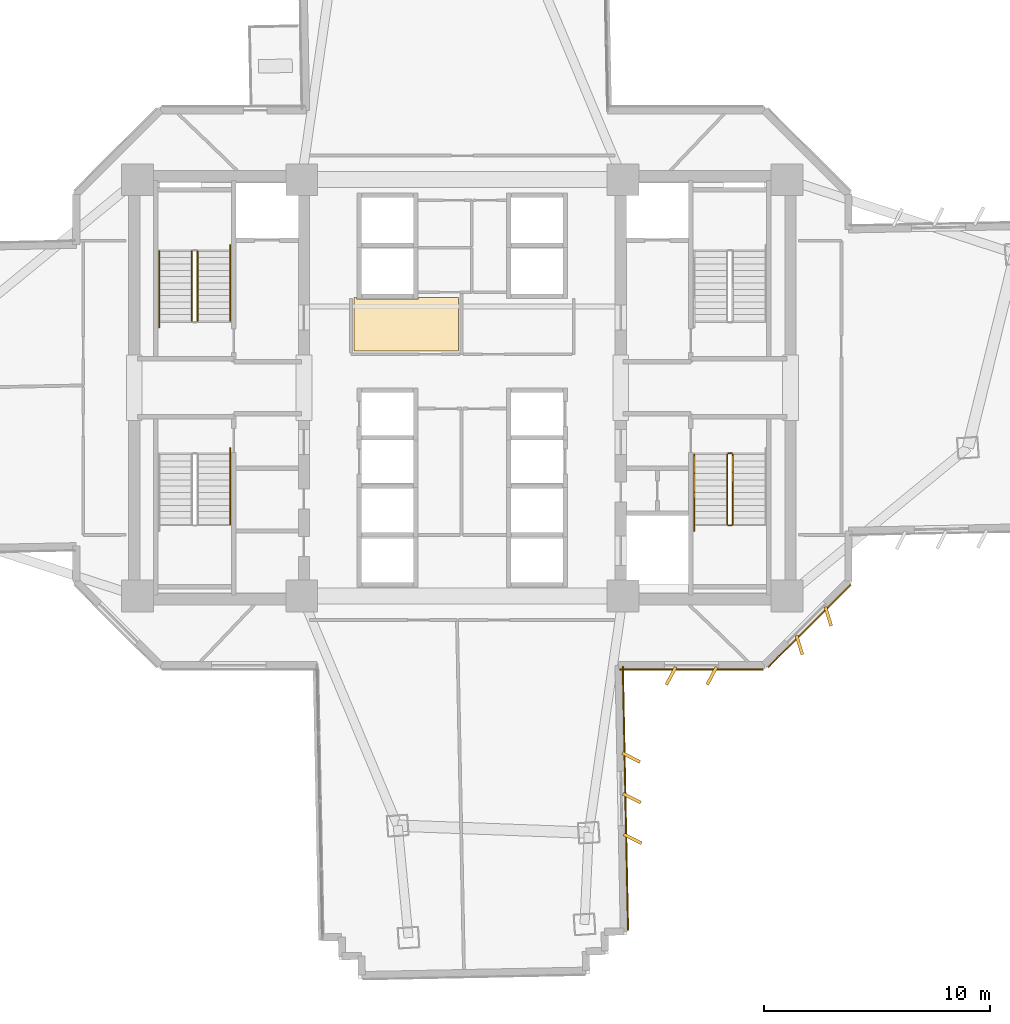
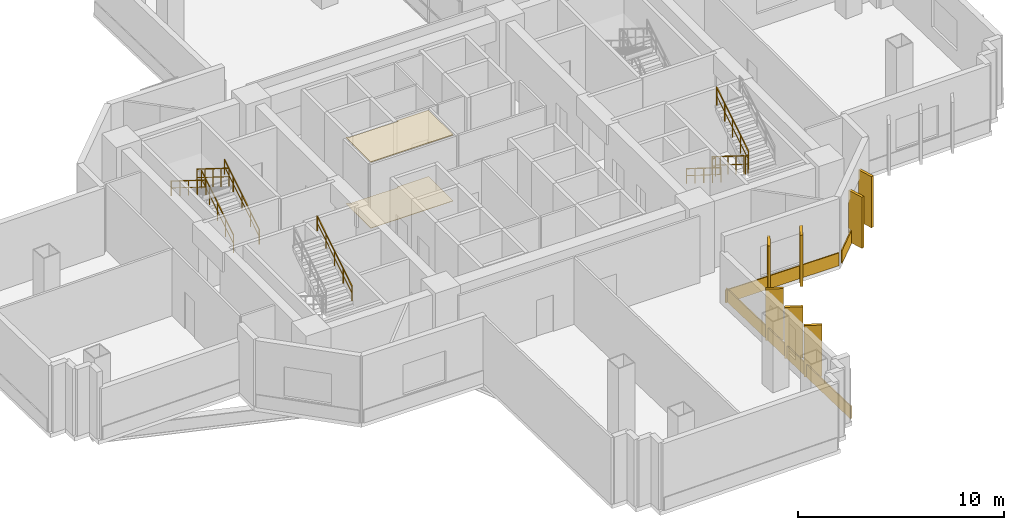
# One storey, part 12 of 15: 12 coverings, 10 railings.
"""IFC4 building model written with IfcOpenShell, lengths in metres."""

from ifc_helpers import new_model, si_unit, direction, frame, origin, origin_2d, place, context, subcontext, project, spatial, polyline, rectangle, outline, extrude, source, transform, mapped, material, layer, layer_set, type_object, element, save


model = new_model("IFC4")

# Units and contexts
model_context = context("Model", 3, precision=1e-05, world=origin(), true_north=direction((0.0, 1.0)))
body_context = subcontext(model_context, "Body", "Model", "MODEL_VIEW")
ifc_project = project(units=[si_unit("LENGTHUNIT", "METRE"), si_unit("AREAUNIT", "SQUARE_METRE"), si_unit("VOLUMEUNIT", "CUBIC_METRE"), si_unit("PLANEANGLEUNIT", "RADIAN"), si_unit("MASSUNIT", "GRAM", prefix="KILO")], contexts=[model_context])

# Site, building, storey
site_placement = place(None, origin())
site = spatial("IfcSite", under=ifc_project, at=site_placement, CompositionType="ELEMENT")
building_placement = place(site_placement, origin())
building = spatial("IfcBuilding", under=site, at=building_placement, Name="Zahravan Cultural Tower", CompositionType="ELEMENT")
storey_placement = place(building_placement, frame((0.0, 0.0, 50.10009765625)))
storey = spatial("IfcBuildingStorey", under=building, at=storey_placement, Name="L10", CompositionType="ELEMENT", Elevation=50.10009765625)

# Coverings
ifc_material_1 = material(Name="Acoustic mineral fibreboard")
ifc_layer_1 = layer(ifc_material_1, 0.0400390625)
ifc_layer_set_1 = layer_set([ifc_layer_1], Name="Acoustic mineral fibreboard")
covering_type_1 = type_object("IfcCoveringType", Name="COV-CEIL-AC20", PredefinedType="CEILING", material=ifc_layer_set_1)
covering_1_placement = place(storey_placement, frame((0.0, 0.0, 3.909912109375)))
element("IfcCovering", 1, at=covering_1_placement, inside=storey, type_object=covering_type_1, Name="L10 Acoustic Suspended Ceiling", PredefinedType="CEILING", context=body_context, shape_type="SweptSolid", body=[
    extrude(outline(polyline([(31.219970703125, 31.0), (31.219970703125, 28.6201171875), (35.830078125, 28.6201171875), (35.830078125, 31.0), (34.070068359375, 31.0), (34.070068359375, 30.929931640625), (31.330078125, 30.929931640625), (31.330078125, 31.0), (31.219970703125, 31.0)])), origin(), (0.0, 0.0, 1.0), 0.0400390625),
])
ifc_material_2 = material(Name="Terrazzo flooring")
ifc_layer_2 = layer(ifc_material_2, 0.02490234375)
ifc_layer_set_2 = layer_set([ifc_layer_2], Name="Terrazzo flooring")
covering_type_2 = type_object("IfcCoveringType", Name="COV-FLR-TZ25", PredefinedType="FLOORING", material=ifc_layer_set_2)
covering_2_placement = place(storey_placement, origin())
element("IfcCovering", 2, at=covering_2_placement, inside=storey, type_object=covering_type_2, Name="L10 Polished Terrazzo Flooring", PredefinedType="FLOORING", context=body_context, shape_type="SweptSolid", body=[
    extrude(outline(polyline([(31.219970703125, 31.0), (31.219970703125, 28.6201171875), (35.830078125, 28.6201171875), (35.830078125, 31.0), (34.070068359375, 31.0), (34.070068359375, 30.929931640625), (31.330078125, 30.929931640625), (31.330078125, 31.0), (31.219970703125, 31.0)])), origin(), (0.0, 0.0, 1.0), 0.02490234375),
])

# Railings
ifc_material_3 = material(Name="Steel ASTM A572 Grade 50", Category="steel")
railing_type_1 = type_object("IfcRailingType", Name="RL-STAIR-GRD1150", PredefinedType="BALUSTRADE", material=ifc_material_3)
railing_1_placement = place(storey_placement, frame((24.300048828125, 29.949951171875, 0.1748046875)))
element("IfcRailing", 3, at=railing_1_placement, inside=storey, type_object=railing_type_1, Name="L10 ST-W1 stair guard 1", PredefinedType="BALUSTRADE", context=body_context, shape_type="SweptSolid", body=[
    extrude(rectangle(XDim=0.05, YDim=0.05, at=origin_2d()), frame((0.0, 0.0, 1.0751953125), z_axis=(0.0, 0.847998304005, 0.529998940003), x_axis=(-1.0, 0.0, 0.0)), (0.0, 0.0, 1.0), 3.632080078125),
    extrude(rectangle(XDim=0.032, YDim=0.032, at=origin_2d()), frame((0.0, 0.0, 0.572021484375), z_axis=(0.0, 0.847998304005, 0.529998940003), x_axis=(-1.0, 0.0, 0.0)), (0.0, 0.0, 1.0), 3.632080078125),
    extrude(rectangle(XDim=0.04, YDim=0.04, at=origin_2d()), origin(), (0.0, 0.0, 1.0), 1.10009765625),
    extrude(rectangle(XDim=0.04, YDim=0.04, at=origin_2d()), frame((0.0, 0.77001953125, 0.481201171875)), (0.0, 0.0, 1.0), 1.10009765625),
    extrude(rectangle(XDim=0.04, YDim=0.04, at=origin_2d()), frame((0.0, 1.5400390625, 0.96240234375)), (0.0, 0.0, 1.0), 1.10009765625),
    extrude(rectangle(XDim=0.04, YDim=0.04, at=origin_2d()), frame((0.0, 2.31005859375, 1.44384765625)), (0.0, 0.0, 1.0), 1.10009765625),
    extrude(rectangle(XDim=0.04, YDim=0.04, at=origin_2d()), frame((0.0, 3.080078125, 1.925048828125)), (0.0, 0.0, 1.0), 1.10009765625),
])
for number, where, name in (
    (4, (24.050048828125, 33.030029296875, 2.27490234375), "L10 ST-W1 stair guard 3"),
    (5, (47.699951171875, 24.050048828125, 0.1748046875), "L10 ST-E2 stair guard 1"),
):
    element("IfcRailing", number, at=place(storey_placement, frame(where)), inside=storey, type_object=railing_type_1, Name=name, PredefinedType="BALUSTRADE", context=body_context, shape_type="SweptSolid", body=[
        extrude(rectangle(XDim=0.05, YDim=0.05, at=origin_2d()), frame((0.0, 0.0, 1.0751953125), z_axis=(0.0, -0.847998304005, 0.529998940003), x_axis=(1.0, 0.0, 0.0)), (0.0, 0.0, 1.0), 3.632080078125),
        extrude(rectangle(XDim=0.032, YDim=0.032, at=origin_2d()), frame((0.0, 0.0, 0.572021484375), z_axis=(0.0, -0.847998304005, 0.529998940003), x_axis=(1.0, 0.0, 0.0)), (0.0, 0.0, 1.0), 3.632080078125),
        extrude(rectangle(XDim=0.04, YDim=0.04, at=origin_2d()), origin(), (0.0, 0.0, 1.0), 1.10009765625),
        extrude(rectangle(XDim=0.04, YDim=0.04, at=origin_2d()), frame((0.0, -0.77001953125, 0.481201171875)), (0.0, 0.0, 1.0), 1.10009765625),
        extrude(rectangle(XDim=0.04, YDim=0.04, at=origin_2d()), frame((0.0, -1.5400390625, 0.96240234375)), (0.0, 0.0, 1.0), 1.10009765625),
        extrude(rectangle(XDim=0.04, YDim=0.04, at=origin_2d()), frame((0.0, -2.31005859375, 1.44384765625)), (0.0, 0.0, 1.0), 1.10009765625),
        extrude(rectangle(XDim=0.04, YDim=0.04, at=origin_2d()), frame((0.0, -3.080078125, 1.925048828125)), (0.0, 0.0, 1.0), 1.10009765625),
    ])
railing_2_placement = place(storey_placement, frame((47.75, 20.919921875, 2.099853515625)))
element("IfcRailing", 6, at=railing_2_placement, inside=storey, type_object=railing_type_1, Name="L10 ST-E2 stair guard 2", PredefinedType="BALUSTRADE", context=body_context, shape_type="SweptSolid", body=[
    extrude(rectangle(XDim=0.05, YDim=0.05, at=origin_2d()), frame((0.0, 0.0, 1.0751953125), z_axis=(1.0, 0.0, 0.0), x_axis=(0.0, 1.0, 0.0)), (0.0, 0.0, 1.0), 0.14990234375),
    extrude(rectangle(XDim=0.032, YDim=0.032, at=origin_2d()), frame((0.0, 0.0, 0.572021484375), z_axis=(1.0, 0.0, 0.0), x_axis=(0.0, 1.0, 0.0)), (0.0, 0.0, 1.0), 0.14990234375),
    extrude(rectangle(XDim=0.04, YDim=0.04, at=origin_2d()), origin(), (0.0, 0.0, 1.0), 1.10009765625),
    extrude(rectangle(XDim=0.04, YDim=0.04, at=origin_2d()), frame((0.14990234375, 0.0, 0.0)), (0.0, 0.0, 1.0), 1.10009765625),
])
railing_3_placement = place(storey_placement, frame((47.949951171875, 20.969970703125, 2.27490234375)))
element("IfcRailing", 7, at=railing_3_placement, inside=storey, type_object=railing_type_1, Name="L10 ST-E2 stair guard 3", PredefinedType="BALUSTRADE", context=body_context, shape_type="SweptSolid", body=[
    extrude(rectangle(XDim=0.05, YDim=0.05, at=origin_2d()), frame((0.0, 0.0, 1.0751953125), z_axis=(0.0, 0.847998304005, 0.529998940003), x_axis=(-1.0, 0.0, 0.0)), (0.0, 0.0, 1.0), 3.632080078125),
    extrude(rectangle(XDim=0.032, YDim=0.032, at=origin_2d()), frame((0.0, 0.0, 0.572021484375), z_axis=(0.0, 0.847998304005, 0.529998940003), x_axis=(-1.0, 0.0, 0.0)), (0.0, 0.0, 1.0), 3.632080078125),
    extrude(rectangle(XDim=0.04, YDim=0.04, at=origin_2d()), origin(), (0.0, 0.0, 1.0), 1.10009765625),
    extrude(rectangle(XDim=0.04, YDim=0.04, at=origin_2d()), frame((0.0, 0.77001953125, 0.481201171875)), (0.0, 0.0, 1.0), 1.10009765625),
    extrude(rectangle(XDim=0.04, YDim=0.04, at=origin_2d()), frame((0.0, 1.5400390625, 0.96240234375)), (0.0, 0.0, 1.0), 1.10009765625),
    extrude(rectangle(XDim=0.04, YDim=0.04, at=origin_2d()), frame((0.0, 2.31005859375, 1.44384765625)), (0.0, 0.0, 1.0), 1.10009765625),
    extrude(rectangle(XDim=0.04, YDim=0.04, at=origin_2d()), frame((0.0, 3.080078125, 1.925048828125)), (0.0, 0.0, 1.0), 1.10009765625),
])
railing_4_placement = place(storey_placement, frame((47.75, 24.10009765625, 0.0)))
element("IfcRailing", 8, at=railing_4_placement, inside=storey, type_object=railing_type_1, Name="L10 ST-E2 stair guard 4", PredefinedType="BALUSTRADE", context=body_context, shape_type="SweptSolid", body=[
    extrude(rectangle(XDim=0.05, YDim=0.05, at=origin_2d()), frame((0.0, 0.0, 1.0751953125), z_axis=(1.0, 0.0, 0.0), x_axis=(0.0, 1.0, 0.0)), (0.0, 0.0, 1.0), 0.14990234375),
    extrude(rectangle(XDim=0.032, YDim=0.032, at=origin_2d()), frame((0.0, 0.0, 0.572021484375), z_axis=(1.0, 0.0, 0.0), x_axis=(0.0, 1.0, 0.0)), (0.0, 0.0, 1.0), 0.14990234375),
    extrude(rectangle(XDim=0.04, YDim=0.04, at=origin_2d()), origin(), (0.0, 0.0, 1.0), 1.10009765625),
    extrude(rectangle(XDim=0.04, YDim=0.04, at=origin_2d()), frame((0.14990234375, 0.0, 0.0)), (0.0, 0.0, 1.0), 1.10009765625),
])
railing_type_2 = type_object("IfcRailingType", Name="RL-STAIR-HR900", PredefinedType="HANDRAIL", material=ifc_material_3)
railing_5_placement = place(storey_placement, frame((25.75, 29.949951171875, 0.1748046875)))
element("IfcRailing", 9, at=railing_5_placement, inside=storey, type_object=railing_type_2, Name="L10 ST-W1 stair handrail 1", PredefinedType="HANDRAIL", context=body_context, shape_type="SweptSolid", body=[
    extrude(rectangle(XDim=0.05, YDim=0.05, at=origin_2d()), frame((0.0, 0.0, 0.875), z_axis=(0.0, 0.847994842521, 0.530004478338), x_axis=(-1.0, 0.0, 0.0)), (0.0, 0.0, 1.0), 3.96240234375),
    extrude(rectangle(XDim=0.032, YDim=0.032, at=origin_2d()), frame((0.0, 0.0, 0.468017578125), z_axis=(0.0, 0.847994842521, 0.530004478338), x_axis=(-1.0, 0.0, 0.0)), (0.0, 0.0, 1.0), 3.96240234375),
    extrude(rectangle(XDim=0.04, YDim=0.04, at=origin_2d()), origin(), (0.0, 0.0, 1.0), 0.89990234375),
    extrude(rectangle(XDim=0.04, YDim=0.04, at=origin_2d()), frame((0.0, 0.840087890625, 0.52490234375)), (0.0, 0.0, 1.0), 0.89990234375),
    extrude(rectangle(XDim=0.04, YDim=0.04, at=origin_2d()), frame((0.0, 1.68017578125, 1.050048828125)), (0.0, 0.0, 1.0), 0.89990234375),
    extrude(rectangle(XDim=0.04, YDim=0.04, at=origin_2d()), frame((0.0, 2.52001953125, 1.5751953125)), (0.0, 0.0, 1.0), 0.89990234375),
    extrude(rectangle(XDim=0.04, YDim=0.04, at=origin_2d()), frame((0.0, 3.360107421875, 2.10009765625)), (0.0, 0.0, 1.0), 0.89990234375),
])
railing_6_placement = place(storey_placement, frame((22.60009765625, 33.030029296875, 2.27490234375)))
element("IfcRailing", 10, at=railing_6_placement, inside=storey, type_object=railing_type_2, Name="L10 ST-W1 stair handrail 2", PredefinedType="HANDRAIL", context=body_context, shape_type="SweptSolid", body=[
    extrude(rectangle(XDim=0.05, YDim=0.05, at=origin_2d()), frame((0.0, 0.0, 0.875), z_axis=(0.0, -0.847994842521, 0.530004478338), x_axis=(1.0, 0.0, 0.0)), (0.0, 0.0, 1.0), 3.96240234375),
    extrude(rectangle(XDim=0.032, YDim=0.032, at=origin_2d()), frame((0.0, 0.0, 0.468017578125), z_axis=(0.0, -0.847994842521, 0.530004478338), x_axis=(1.0, 0.0, 0.0)), (0.0, 0.0, 1.0), 3.96240234375),
    extrude(rectangle(XDim=0.04, YDim=0.04, at=origin_2d()), origin(), (0.0, 0.0, 1.0), 0.89990234375),
    extrude(rectangle(XDim=0.04, YDim=0.04, at=origin_2d()), frame((0.0, -0.840087890625, 0.52490234375)), (0.0, 0.0, 1.0), 0.89990234375),
    extrude(rectangle(XDim=0.04, YDim=0.04, at=origin_2d()), frame((0.0, -1.68017578125, 1.050048828125)), (0.0, 0.0, 1.0), 0.89990234375),
    extrude(rectangle(XDim=0.04, YDim=0.04, at=origin_2d()), frame((0.0, -2.52001953125, 1.5751953125)), (0.0, 0.0, 1.0), 0.89990234375),
    extrude(rectangle(XDim=0.04, YDim=0.04, at=origin_2d()), frame((0.0, -3.360107421875, 2.10009765625)), (0.0, 0.0, 1.0), 0.89990234375),
])
railing_7_placement = place(storey_placement, frame((25.75, 20.969970703125, 2.27490234375)))
element("IfcRailing", 11, at=railing_7_placement, inside=storey, type_object=railing_type_2, Name="L10 ST-W2 stair handrail 2", PredefinedType="HANDRAIL", context=body_context, shape_type="SweptSolid", body=[
    extrude(rectangle(XDim=0.05, YDim=0.05, at=origin_2d()), frame((0.0, 0.0, 0.875), z_axis=(0.0, 0.847994842521, 0.530004478338), x_axis=(-1.0, 0.0, 0.0)), (0.0, 0.0, 1.0), 3.96240234375),
    extrude(rectangle(XDim=0.032, YDim=0.032, at=origin_2d()), frame((0.0, 0.0, 0.468017578125), z_axis=(0.0, 0.847994842521, 0.530004478338), x_axis=(-1.0, 0.0, 0.0)), (0.0, 0.0, 1.0), 3.96240234375),
    extrude(rectangle(XDim=0.04, YDim=0.04, at=origin_2d()), origin(), (0.0, 0.0, 1.0), 0.89990234375),
    extrude(rectangle(XDim=0.04, YDim=0.04, at=origin_2d()), frame((0.0, 0.840087890625, 0.52490234375)), (0.0, 0.0, 1.0), 0.89990234375),
    extrude(rectangle(XDim=0.04, YDim=0.04, at=origin_2d()), frame((0.0, 1.68017578125, 1.050048828125)), (0.0, 0.0, 1.0), 0.89990234375),
    extrude(rectangle(XDim=0.04, YDim=0.04, at=origin_2d()), frame((0.0, 2.52001953125, 1.5751953125)), (0.0, 0.0, 1.0), 0.89990234375),
    extrude(rectangle(XDim=0.04, YDim=0.04, at=origin_2d()), frame((0.0, 3.360107421875, 2.10009765625)), (0.0, 0.0, 1.0), 0.89990234375),
])
railing_8_placement = place(storey_placement, frame((46.25, 24.050048828125, 0.1748046875)))
element("IfcRailing", 12, at=railing_8_placement, inside=storey, type_object=railing_type_2, Name="L10 ST-E2 stair handrail 1", PredefinedType="HANDRAIL", context=body_context, shape_type="SweptSolid", body=[
    extrude(rectangle(XDim=0.05, YDim=0.05, at=origin_2d()), frame((0.0, 0.0, 0.875), z_axis=(0.0, -0.847994842521, 0.530004478338), x_axis=(1.0, 0.0, 0.0)), (0.0, 0.0, 1.0), 3.96240234375),
    extrude(rectangle(XDim=0.032, YDim=0.032, at=origin_2d()), frame((0.0, 0.0, 0.468017578125), z_axis=(0.0, -0.847994842521, 0.530004478338), x_axis=(1.0, 0.0, 0.0)), (0.0, 0.0, 1.0), 3.96240234375),
    extrude(rectangle(XDim=0.04, YDim=0.04, at=origin_2d()), origin(), (0.0, 0.0, 1.0), 0.89990234375),
    extrude(rectangle(XDim=0.04, YDim=0.04, at=origin_2d()), frame((0.0, -0.840087890625, 0.52490234375)), (0.0, 0.0, 1.0), 0.89990234375),
    extrude(rectangle(XDim=0.04, YDim=0.04, at=origin_2d()), frame((0.0, -1.68017578125, 1.050048828125)), (0.0, 0.0, 1.0), 0.89990234375),
    extrude(rectangle(XDim=0.04, YDim=0.04, at=origin_2d()), frame((0.0, -2.52001953125, 1.5751953125)), (0.0, 0.0, 1.0), 0.89990234375),
    extrude(rectangle(XDim=0.04, YDim=0.04, at=origin_2d()), frame((0.0, -3.360107421875, 2.10009765625)), (0.0, 0.0, 1.0), 0.89990234375),
])

# Coverings
ifc_material_4 = material(Name="Terracotta ceramic cladding", Category="masonry")
ifc_layer_3 = layer(ifc_material_4, 0.06005859375)
ifc_layer_set_3 = layer_set([ifc_layer_3], Name="Terracotta ceramic cladding")
covering_type_3 = type_object("IfcCoveringType", Name="COV-CLAD-TC60", PredefinedType="CLADDING", material=ifc_layer_set_3)
shared_shape_1 = source(origin(), body_context, "Body", "SweptSolid", [
    extrude(rectangle(XDim=5.157958984375, YDim=0.06005859375, at=origin_2d()), origin(), (0.0, 0.0, 1.0), 0.760009765625),
])
covering_3_placement = place(storey_placement, frame((51.331787109375, 16.46826171875, 0.02001953125), z_axis=(0.0, 0.0, 1.0), x_axis=(-0.707106781187, -0.707106781187, 0.0)))
element("IfcCovering", 13, at=covering_3_placement, inside=storey, type_object=covering_type_3, Name="L10 Terracotta Spandrel Cladding 13", PredefinedType="CLADDING", context=body_context, shape_type="MappedRepresentation", body=[
    mapped(shared_shape_1, transform((0.0, 0.0, 0.0), x_axis=(1.0, 0.0, 0.0), y_axis=(0.0, 1.0, 0.0), z_axis=(0.0, 0.0, 1.0), scale=1.0)),
])
shared_shape_2 = source(origin(), body_context, "Body", "SweptSolid", [
    extrude(rectangle(XDim=0.8798828125, YDim=0.139892578125, at=origin_2d()), origin(), (0.0, 0.0, 1.0), 3.030029296875),
])
for number, where, z_axis, x_axis, name in (
    (14, (52.169677734375, 16.903076171875, 0.0498046875), (0.0, 0.0, 1.0), (0.292371704723, -0.956304755963, 0.0), "L10 Herringbone Terracotta Fin 10"),
    (15, (50.89697265625, 15.63037109375, 0.0498046875), (0.0, 0.0, 1.0), (0.292371704723, -0.956304755963, 0.0), "L10 Herringbone Terracotta Fin 11"),
    (16, (47.023681640625, 14.27001953125, 0.0498046875), (0.0, 0.0, 1.0), (-0.469471562786, -0.882947592859, 0.0), "L10 Herringbone Terracotta Fin 12"),
    (17, (45.2236328125, 14.27001953125, 0.0498046875), (0.0, 0.0, 1.0), (-0.469471562786, -0.882947592859, 0.0), "L10 Herringbone Terracotta Fin 13"),
    (18, (43.456298828125, 10.66748046875, 0.0498046875), (0.0, 0.0, 1.0), (0.892113171267, -0.451812006981, 0.0), "L10 Herringbone Terracotta Fin 14"),
    (19, (43.4921875, 8.867919921875, 0.0498046875), (0.0, 0.0, 1.0), (0.892113171267, -0.451812006981, 0.0), "L10 Herringbone Terracotta Fin 15"),
    (20, (43.528076171875, 7.068359375, 0.0498046875), (0.0, 0.0, 1.0), (0.892113171267, -0.451812006981, 0.0), "L10 Herringbone Terracotta Fin 16"),
):
    element("IfcCovering", number, at=place(storey_placement, frame(where, z_axis=z_axis, x_axis=x_axis)), inside=storey, type_object=covering_type_3, Name=name, PredefinedType="CLADDING", context=body_context, shape_type="MappedRepresentation", body=[
        mapped(shared_shape_2, transform((0.0, 0.0, 0.0), x_axis=(1.0, 0.0, 0.0), y_axis=(0.0, 1.0, 0.0), z_axis=(0.0, 0.0, 1.0), scale=1.0)),
    ])
shared_shape_3 = source(origin(), body_context, "Body", "SweptSolid", [
    extrude(rectangle(XDim=6.336669921875, YDim=0.06005859375, at=origin_2d()), origin(), (0.0, 0.0, 1.0), 0.760009765625),
])
covering_4_placement = place(storey_placement, frame((46.12353515625, 14.554931640625, 0.02001953125), z_axis=(0.0, 0.0, 1.0), x_axis=(-1.0, 0.0, 0.0)))
element("IfcCovering", 21, at=covering_4_placement, inside=storey, type_object=covering_type_3, Name="L10 Terracotta Spandrel Cladding 14", PredefinedType="CLADDING", context=body_context, shape_type="MappedRepresentation", body=[
    mapped(shared_shape_3, transform((0.0, 0.0, 0.0), x_axis=(1.0, 0.0, 0.0), y_axis=(0.0, 1.0, 0.0), z_axis=(0.0, 0.0, 1.0), scale=1.0)),
])
shared_shape_4 = source(origin(), body_context, "Body", "SweptSolid", [
    extrude(rectangle(XDim=11.6650390625, YDim=0.06005859375, at=origin_2d()), origin(), (0.0, 0.0, 1.0), 0.760009765625),
])
covering_5_placement = place(storey_placement, frame((43.207275390625, 8.8623046875, 0.02001953125), z_axis=(0.0, 0.0, 1.0), x_axis=(0.019895440708, -0.999802066131, 0.0)))
element("IfcCovering", 22, at=covering_5_placement, inside=storey, type_object=covering_type_3, Name="L10 Terracotta Spandrel Cladding 15", PredefinedType="CLADDING", context=body_context, shape_type="MappedRepresentation", body=[
    mapped(shared_shape_4, transform((0.0, 0.0, 0.0), x_axis=(1.0, 0.0, 0.0), y_axis=(0.0, 1.0, 0.0), z_axis=(0.0, 0.0, 1.0), scale=1.0)),
])

save(model, "model.ifc")
